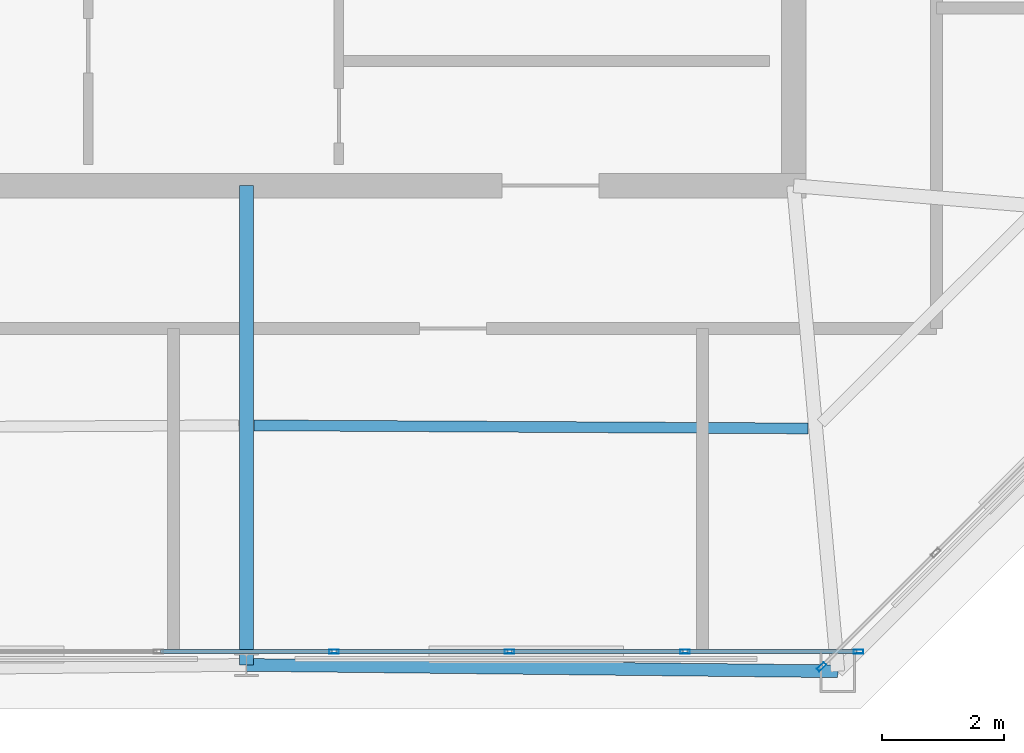
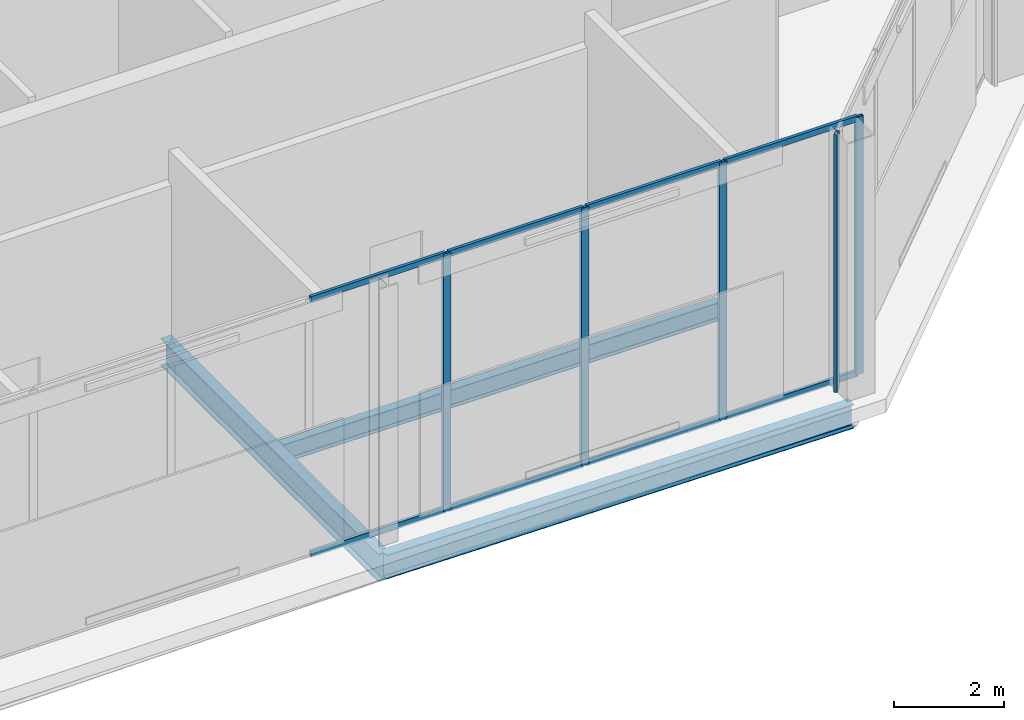
# One storey, part 5 of 20: 13 members, 3 beams, 2 elements without a shape of their own.
"""IFC4 building model written with IfcOpenShell, lengths in metres."""

import ifcopenshell
import ifcopenshell.guid

model = None  # the IFC model being written
_history = None  # IfcOwnerHistory: only IFC2X3 demands one
_inside = {}  # id of a spatial element -> (the spatial element, [elements in it])
_under = {}  # id of a project, library or spatial element -> (it, [spatial elements below it])
_declared = {}  # id of a project -> (the project, [libraries it declares])
_typed = {}  # id of a type object -> (the type object, [elements of that type])
_made_of = {}  # id of a material, layer set ... -> (it, [elements and type objects made of it])


def new_model(schema):
    """Start an empty IFC model of exactly this schema.

    Asked for "IFC4X3", IfcOpenShell would pick the latest addendum, in which some entities
    have other attributes; the version numbers below select the first issue.
    IFC2X3 requires an IfcOwnerHistory on every rooted entity: one is made here for all.
    """
    global model, _history
    if schema == "IFC4X3":
        model = ifcopenshell.file(schema_version=(4, 3, 0, 0))
    else:
        model = ifcopenshell.file(schema=schema)
    _inside.clear()
    _under.clear()
    _declared.clear()
    _typed.clear()
    _made_of.clear()
    _history = None
    if model.schema == "IFC2X3":
        org = make("IfcOrganization", Name="unknown")
        user = make(
            "IfcPersonAndOrganization",
            ThePerson=make("IfcPerson", FamilyName="unknown"),
            TheOrganization=org,
        )
        app = make(
            "IfcApplication",
            ApplicationDeveloper=org,
            Version="unknown",
            ApplicationFullName="unknown",
            ApplicationIdentifier="unknown",
        )
        _history = make(
            "IfcOwnerHistory",
            OwningUser=user,
            OwningApplication=app,
            ChangeAction="ADDED",
            CreationDate=0,
        )
    return model


def make(cls, **values):
    """One entity of the class cls with the attributes given. An attribute that is None is left unset."""
    return model.create_entity(
        cls, **{name: value for name, value in values.items() if value is not None}
    )


def rooted(cls, **values):
    """An entity with a GlobalId (a new one), such as an element, a storey or a relation."""
    return make(cls, GlobalId=ifcopenshell.guid.new(), OwnerHistory=_history, **values)


def si_unit(unit_type, name, prefix=None):
    """IfcSIUnit, for example si_unit("LENGTHUNIT", "METRE", prefix="MILLI")."""
    return make("IfcSIUnit", UnitType=unit_type, Prefix=prefix, Name=name)


def assignment(units):
    """IfcUnitAssignment: the units of a project."""
    return None if units is None else make("IfcUnitAssignment", Units=units)


def point(xyz):
    """IfcCartesianPoint."""
    return None if xyz is None else make("IfcCartesianPoint", Coordinates=xyz)


def direction(xyz):
    """IfcDirection."""
    return None if xyz is None else make("IfcDirection", DirectionRatios=xyz)


def frame(location, z_axis=None, x_axis=None):
    """IfcAxis2Placement3D, a coordinate frame: its origin and axes. An axis left out is left unset."""
    return make(
        "IfcAxis2Placement3D",
        Location=point(location),
        Axis=direction(z_axis),
        RefDirection=direction(x_axis),
    )


def frame_2d(location, x_axis=None):
    """IfcAxis2Placement2D, a coordinate frame in the plane: its origin and x axis."""
    return make(
        "IfcAxis2Placement2D", Location=point(location), RefDirection=direction(x_axis)
    )


def origin():
    """The frame at (0, 0, 0) with its axes left unset."""
    return frame((0.0, 0.0, 0.0))


def origin_2d():
    """The frame at (0, 0) in the plane with its x axis left unset."""
    return frame_2d((0.0, 0.0))


def place(relative_to, where):
    """IfcLocalPlacement: puts the frame where relative to a parent placement (None: the world)."""
    return make(
        "IfcLocalPlacement", PlacementRelTo=relative_to, RelativePlacement=where
    )


def context(
    kind, dimensions, precision=None, world=None, true_north=None, identifier=None
):
    """IfcGeometricRepresentationContext, for example the 3D "Model" context."""
    return make(
        "IfcGeometricRepresentationContext",
        ContextIdentifier=identifier,
        ContextType=kind,
        CoordinateSpaceDimension=dimensions,
        Precision=precision,
        WorldCoordinateSystem=world,
        TrueNorth=true_north,
    )


def subcontext(parent, identifier, kind, view, scale=None):
    """IfcGeometricRepresentationSubContext, for example "Body" below "Model"."""
    return make(
        "IfcGeometricRepresentationSubContext",
        ContextIdentifier=identifier,
        ContextType=kind,
        ParentContext=parent,
        TargetScale=scale,
        TargetView=view,
    )


def project(units=None, contexts=None):
    """IfcProject with its units and contexts."""
    return rooted(
        "IfcProject",
        Name="project",
        RepresentationContexts=contexts,
        UnitsInContext=assignment(units),
    )


def spatial(cls, under=None, at=None, **own):
    """A site, building, storey or space (cls), placed at a placement, below another one or the project."""
    s = rooted(cls, ObjectPlacement=at, **own)
    if under is not None:
        _under.setdefault(under.id(), (under, []))[1].append(s)
    return s


def profile(cls, at=None, kind="AREA", **sizes):
    """A parametric profile (cls). Its sizes go by their IFC names, for example OverallWidth=200.0."""
    return make(cls, ProfileType=kind, Position=at, **sizes)


def hollow_rectangle(**sizes):
    """IfcRectangleHollowProfileDef."""
    return profile("IfcRectangleHollowProfileDef", **sizes)


def i_section(**sizes):
    """IfcIShapeProfileDef."""
    return profile("IfcIShapeProfileDef", **sizes)


def extrude(swept, where, along, depth):
    """IfcExtrudedAreaSolid: the profile swept, set in the frame where, extruded along a direction by depth."""
    return make(
        "IfcExtrudedAreaSolid",
        SweptArea=swept,
        Position=where,
        ExtrudedDirection=direction(along),
        Depth=depth,
    )


def shape(context_of_items, identifier, shape_type, items):
    """IfcShapeRepresentation: the items that make up one representation, for example the "Body"."""
    return make(
        "IfcShapeRepresentation",
        ContextOfItems=context_of_items,
        RepresentationIdentifier=identifier,
        RepresentationType=shape_type,
        Items=items,
    )


def material(Name=None, Category=None):
    """IfcMaterial."""
    return make("IfcMaterial", Name=Name, Category=Category)


def layer(
    of_material, thickness, ventilated=None, Name=None, Category=None, Priority=None
):
    """IfcMaterialLayer: one layer of a wall or slab, of a material (None: an air gap)."""
    return make(
        "IfcMaterialLayer",
        Material=of_material,
        LayerThickness=thickness,
        IsVentilated=ventilated,
        Name=Name,
        Category=Category,
        Priority=Priority,
    )


def layer_set(layers, Name=None):
    """IfcMaterialLayerSet."""
    return make("IfcMaterialLayerSet", MaterialLayers=layers, LayerSetName=Name)


def material_profile(
    of_material, cross_section, Name=None, Category=None, Priority=None
):
    """IfcMaterialProfile: a cross section and its material."""
    return make(
        "IfcMaterialProfile",
        Name=Name,
        Material=of_material,
        Profile=cross_section,
        Priority=Priority,
        Category=Category,
    )


def profile_set(profiles, Name=None, composite=None):
    """IfcMaterialProfileSet."""
    return make(
        "IfcMaterialProfileSet",
        Name=Name,
        MaterialProfiles=profiles,
        CompositeProfile=composite,
    )


def made_of(thing, what):
    """Note that an element or type object is made of a material, layer set ...; save() writes the relation."""
    if what is not None:
        _made_of.setdefault(what.id(), (what, []))[1].append(thing)
    return thing


def type_object(cls, material=None, **own):
    """A type object (cls), such as IfcWallType, which elements share."""
    return made_of(rooted(cls, **own), material)


def element(
    cls,
    number,
    at=None,
    inside=None,
    cuts=None,
    type_object=None,
    material=None,
    context=None,
    identifier="Body",
    shape_type=None,
    held_by="IfcProductDefinitionShape",
    body=None,
    shapes=None,
    **own,
):
    """One element of the class cls, such as IfcWall. Its Tag is "e" and its number.

    at: its placement. inside: the storey or other place that contains it. cuts: it is an
    opening in that element (IfcRelVoidsElement). A single representation is given by context,
    identifier, shape_type and body (its items); several are given by shapes. held_by: the class
    of the entity that holds the representations. save() writes the other relations.
    """
    e = rooted(cls, Tag="e%d" % number, ObjectPlacement=at, **own)
    if body is not None:
        shapes = [shape(context, identifier, shape_type, body)]
    if shapes is not None:
        e.Representation = make(held_by, Representations=shapes)
    if inside is not None:
        _inside.setdefault(inside.id(), (inside, []))[1].append(e)
    if cuts is not None:
        rooted(
            "IfcRelVoidsElement", RelatingBuildingElement=cuts, RelatedOpeningElement=e
        )
    if type_object is not None:
        _typed.setdefault(type_object.id(), (type_object, []))[1].append(e)
    return made_of(e, material)


def aggregate(whole, parts):
    """IfcRelAggregates: a whole, such as a stair, and the parts it consists of."""
    return rooted("IfcRelAggregates", RelatingObject=whole, RelatedObjects=parts)


def save(model, path):
    """Write the relations noted so far, then the file.

    IfcRelAggregates (storeys below a building ...), IfcRelContainedInSpatialStructure (elements
    in a storey), IfcRelDefinesByType, IfcRelAssociatesMaterial and IfcRelDeclares: one each for
    every whole, place, type object, material and project.
    """
    for whole, parts in _under.values():
        aggregate(whole, parts)
    for where, things in _inside.values():
        rooted(
            "IfcRelContainedInSpatialStructure",
            RelatedElements=things,
            RelatingStructure=where,
        )
    for kind, things in _typed.values():
        rooted("IfcRelDefinesByType", RelatedObjects=things, RelatingType=kind)
    for what, things in _made_of.values():
        rooted("IfcRelAssociatesMaterial", RelatedObjects=things, RelatingMaterial=what)
    for by, libraries in _declared.values():
        rooted("IfcRelDeclares", RelatingContext=by, RelatedDefinitions=libraries)
    model.write(path)


model = new_model("IFC4")

# Units and contexts
model_context = context("Model", 3, precision=1e-05, world=origin(), true_north=direction((0.0, 1.0)))
body_context = subcontext(model_context, "Body", "Model", "MODEL_VIEW")
ifc_project = project(units=[si_unit("LENGTHUNIT", "METRE"), si_unit("AREAUNIT", "SQUARE_METRE"), si_unit("VOLUMEUNIT", "CUBIC_METRE"), si_unit("PLANEANGLEUNIT", "RADIAN"), si_unit("MASSUNIT", "GRAM", prefix="KILO")], contexts=[model_context])

# Site, building, storey
site_placement = place(None, origin())
site = spatial("IfcSite", under=ifc_project, at=site_placement, CompositionType="ELEMENT")
building_placement = place(site_placement, origin())
building = spatial("IfcBuilding", under=site, at=building_placement, Name="Caelvoria Tower", CompositionType="ELEMENT")
storey_placement = place(building_placement, frame((0.0, 0.0, 284.199951171875)))
storey = spatial("IfcBuildingStorey", under=building, at=storey_placement, Name="C1", CompositionType="ELEMENT", Elevation=284.199951171875)

# Curtain wall, members
ifc_material_1 = material(Name="Anodised Bronze Aluminium and Low-E Glass", Category="aluminium")
ifc_layer = layer(ifc_material_1, 0.179931640625, Name="Anodised Bronze Aluminium and Low-E Glass")
ifc_layer_set = layer_set([ifc_layer], Name="CW System 6 Slanted Crown Bronze Screen Facade - Anodised Bronze Aluminium and Low-E Glass")
curtain_wall_type = type_object("IfcCurtainWallType", Name="CW System 6 Slanted Crown Bronze Screen Facade", PredefinedType="NOTDEFINED", material=ifc_layer_set)
curtain_wall_1_placement = place(storey_placement, origin())
curtain_wall_1 = element("IfcCurtainWall", 1, at=curtain_wall_1_placement, inside=storey, type_object=curtain_wall_type, Name="CW-06 Curtain Wall C1-E0", PredefinedType="NOTDEFINED")
ifc_material_2 = material(Name="Anodised Bronze Architectural Aluminium", Category="aluminium")
ifc_material_profile_1 = material_profile(ifc_material_2, hollow_rectangle(XDim=0.06494140625, YDim=0.159912109375, WallThickness=0.00390625, at=origin_2d()), Name="Anodised Bronze Architectural Aluminium")
ifc_profile_set_1 = profile_set([ifc_material_profile_1], Name="CW_MULL_65X160 - Anodised Bronze Architectural Aluminium")
member_type_1 = type_object("IfcMemberType", Name="Curtain Wall Mullion 65x160 Bronze Aluminium", PredefinedType="MULLION", material=ifc_profile_set_1)
member_1_placement = place(storey_placement, frame((47.44287109375, 16.340087890625, 0.0), z_axis=(0.0, 0.0, 1.0), x_axis=(0.0, 1.0, 0.0)))
member_1 = element("IfcMember", 2, at=member_1_placement, type_object=member_type_1, Name="CW-06 mullion 5", PredefinedType="MULLION", context=body_context, shape_type="SweptSolid", body=[
    extrude(hollow_rectangle(XDim=0.06494140625, YDim=0.159912109375, WallThickness=0.00390625, at=origin_2d()), origin(), (0.0, 0.0, 1.0), 5.699951171875),
])
member_2_placement = place(storey_placement, frame((50.32861328125, 16.340087890625, 0.0), z_axis=(0.0, 0.0, 1.0), x_axis=(0.0, 1.0, 0.0)))
member_2 = element("IfcMember", 3, at=member_2_placement, type_object=member_type_1, Name="CW-06 mullion 6", PredefinedType="MULLION", context=body_context, shape_type="SweptSolid", body=[
    extrude(hollow_rectangle(XDim=0.06494140625, YDim=0.159912109375, WallThickness=0.00390625, at=origin_2d()), origin(), (0.0, 0.0, 1.0), 5.699951171875),
])
member_3_placement = place(storey_placement, frame((53.21435546875, 16.340087890625, 0.0), z_axis=(0.0, 0.0, 1.0), x_axis=(0.0, 1.0, 0.0)))
member_3 = element("IfcMember", 4, at=member_3_placement, type_object=member_type_1, Name="CW-06 mullion 7", PredefinedType="MULLION", context=body_context, shape_type="SweptSolid", body=[
    extrude(hollow_rectangle(XDim=0.06494140625, YDim=0.159912109375, WallThickness=0.00390625, at=origin_2d()), origin(), (0.0, 0.0, 1.0), 5.699951171875),
])
member_4_placement = place(storey_placement, frame((56.0673828125, 16.340087890625, 0.0), z_axis=(0.0, 0.0, 1.0), x_axis=(0.0, 1.0, 0.0)))
member_4 = element("IfcMember", 5, at=member_4_placement, type_object=member_type_1, Name="CW-06 mullion 8", PredefinedType="MULLION", context=body_context, shape_type="SweptSolid", body=[
    extrude(hollow_rectangle(XDim=0.06494140625, YDim=0.159912109375, WallThickness=0.00390625, at=origin_2d()), origin(), (0.0, 0.0, 1.0), 5.699951171875),
])

# Curtain wall, member
curtain_wall_2_placement = place(storey_placement, origin())
curtain_wall_2 = element("IfcCurtainWall", 6, at=curtain_wall_2_placement, inside=storey, type_object=curtain_wall_type, Name="CW-06 Curtain Wall C1-E1", PredefinedType="NOTDEFINED")
member_5_placement = place(storey_placement, frame((55.458251953125, 16.087646484375, 0.0), z_axis=(0.0, 0.0, 1.0), x_axis=(-0.707106781187, 0.707106781187, 0.0)))
member_5 = element("IfcMember", 7, at=member_5_placement, type_object=member_type_1, Name="CW-06 mullion 1", PredefinedType="MULLION", context=body_context, shape_type="SweptSolid", body=[
    extrude(hollow_rectangle(XDim=0.06494140625, YDim=0.159912109375, WallThickness=0.00390625, at=origin_2d()), origin(), (0.0, 0.0, 1.0), 5.699951171875),
])
aggregate(curtain_wall_2, [member_5])

# Member
ifc_material_profile_2 = material_profile(ifc_material_2, hollow_rectangle(XDim=0.06494140625, YDim=0.1298828125, WallThickness=0.00341796875, at=origin_2d()), Name="Anodised Bronze Architectural Aluminium")
ifc_profile_set_2 = profile_set([ifc_material_profile_2], Name="CW_TRAN_65X130 - Anodised Bronze Architectural Aluminium")
member_type_2 = type_object("IfcMemberType", Name="Curtain Wall Transom 65x130 Bronze Aluminium", PredefinedType="USERDEFINED", material=ifc_profile_set_2)
member_6_placement = place(storey_placement, frame((44.589599609375, 16.340087890625, 0.032470703125), z_axis=(1.0, 0.0, 0.0), x_axis=(0.0, 1.0, 0.0)))
member_6 = element("IfcMember", 8, at=member_6_placement, type_object=member_type_2, Name="CW-06 transom 4.1", ObjectType="TRANSOM", PredefinedType="USERDEFINED", context=body_context, shape_type="SweptSolid", body=[
    extrude(hollow_rectangle(XDim=0.06494140625, YDim=0.1298828125, WallThickness=0.00341796875, at=origin_2d()), origin(), (0.0, 0.0, 1.0), 2.82080078125),
])

member_7_placement = place(storey_placement, frame((44.589599609375, 16.340087890625, 5.66748046875), z_axis=(1.0, 0.0, 0.0), x_axis=(0.0, 1.0, 0.0)))
member_7 = element("IfcMember", 9, at=member_7_placement, type_object=member_type_2, Name="CW-06 transom 4.2", ObjectType="TRANSOM", PredefinedType="USERDEFINED", context=body_context, shape_type="SweptSolid", body=[
    extrude(hollow_rectangle(XDim=0.06494140625, YDim=0.1298828125, WallThickness=0.00341796875, at=origin_2d()), origin(), (0.0, 0.0, 1.0), 2.82080078125),
])

member_8_placement = place(storey_placement, frame((47.475341796875, 16.340087890625, 0.032470703125), z_axis=(1.0, 0.0, 0.0), x_axis=(0.0, 1.0, 0.0)))
member_8 = element("IfcMember", 10, at=member_8_placement, type_object=member_type_2, Name="CW-06 transom 5.1", ObjectType="TRANSOM", PredefinedType="USERDEFINED", context=body_context, shape_type="SweptSolid", body=[
    extrude(hollow_rectangle(XDim=0.06494140625, YDim=0.1298828125, WallThickness=0.00341796875, at=origin_2d()), origin(), (0.0, 0.0, 1.0), 2.82080078125),
])

member_9_placement = place(storey_placement, frame((47.475341796875, 16.340087890625, 5.66748046875), z_axis=(1.0, 0.0, 0.0), x_axis=(0.0, 1.0, 0.0)))
member_9 = element("IfcMember", 11, at=member_9_placement, type_object=member_type_2, Name="CW-06 transom 5.2", ObjectType="TRANSOM", PredefinedType="USERDEFINED", context=body_context, shape_type="SweptSolid", body=[
    extrude(hollow_rectangle(XDim=0.06494140625, YDim=0.1298828125, WallThickness=0.00341796875, at=origin_2d()), origin(), (0.0, 0.0, 1.0), 2.82080078125),
])

member_10_placement = place(storey_placement, frame((50.361083984375, 16.340087890625, 0.032470703125), z_axis=(1.0, 0.0, 0.0), x_axis=(0.0, 1.0, 0.0)))
member_10 = element("IfcMember", 12, at=member_10_placement, type_object=member_type_2, Name="CW-06 transom 6.1", ObjectType="TRANSOM", PredefinedType="USERDEFINED", context=body_context, shape_type="SweptSolid", body=[
    extrude(hollow_rectangle(XDim=0.06494140625, YDim=0.1298828125, WallThickness=0.00341796875, at=origin_2d()), origin(), (0.0, 0.0, 1.0), 2.82080078125),
])

member_11_placement = place(storey_placement, frame((50.361083984375, 16.340087890625, 5.66748046875), z_axis=(1.0, 0.0, 0.0), x_axis=(0.0, 1.0, 0.0)))
member_11 = element("IfcMember", 13, at=member_11_placement, type_object=member_type_2, Name="CW-06 transom 6.2", ObjectType="TRANSOM", PredefinedType="USERDEFINED", context=body_context, shape_type="SweptSolid", body=[
    extrude(hollow_rectangle(XDim=0.06494140625, YDim=0.1298828125, WallThickness=0.00341796875, at=origin_2d()), origin(), (0.0, 0.0, 1.0), 2.82080078125),
])

member_12_placement = place(storey_placement, frame((53.246826171875, 16.340087890625, 0.032470703125), z_axis=(1.0, 0.0, 0.0), x_axis=(0.0, 1.0, 0.0)))
member_12 = element("IfcMember", 14, at=member_12_placement, type_object=member_type_2, Name="CW-06 transom 7.1", ObjectType="TRANSOM", PredefinedType="USERDEFINED", context=body_context, shape_type="SweptSolid", body=[
    extrude(hollow_rectangle(XDim=0.06494140625, YDim=0.1298828125, WallThickness=0.00341796875, at=origin_2d()), origin(), (0.0, 0.0, 1.0), 2.7880859375),
])

member_13_placement = place(storey_placement, frame((53.246826171875, 16.340087890625, 5.66748046875), z_axis=(1.0, 0.0, 0.0), x_axis=(0.0, 1.0, 0.0)))
member_13 = element("IfcMember", 15, at=member_13_placement, type_object=member_type_2, Name="CW-06 transom 7.2", ObjectType="TRANSOM", PredefinedType="USERDEFINED", context=body_context, shape_type="SweptSolid", body=[
    extrude(hollow_rectangle(XDim=0.06494140625, YDim=0.1298828125, WallThickness=0.00341796875, at=origin_2d()), origin(), (0.0, 0.0, 1.0), 2.7880859375),
])

aggregate(curtain_wall_1, [member_1, member_2, member_3, member_4, member_6, member_7, member_8, member_9, member_10, member_11, member_12, member_13])

# Beams
ifc_material_3 = material(Name="Structural Steel ASTM A992 Gr.50", Category="steel")
ifc_material_profile_3 = material_profile(ifc_material_3, i_section(OverallWidth=0.22802734375, OverallDepth=0.60302734375, WebThickness=0.010498046875, FlangeThickness=0.014892578125, FilletRadius=0.01806640625, at=origin_2d()), Name="Structural Steel ASTM A992 Gr.50")
ifc_profile_set_3 = profile_set([ifc_material_profile_3], Name="W610X101 - Structural Steel ASTM A992 Gr.50")
beam_type_1 = type_object("IfcBeamType", Name="Primary Floor Girder W610X101", PredefinedType="BEAM", material=ifc_profile_set_3)
beam_1_placement = place(storey_placement, frame((46.0, 24.0, -0.6015625), z_axis=(0.0, -1.0, 0.0), x_axis=(1.0, 0.0, 0.0)))
element("IfcBeam", 16, at=beam_1_placement, inside=storey, type_object=beam_type_1, Name="Primary Floor Girder C1-01", PredefinedType="BEAM", context=body_context, shape_type="SweptSolid", body=[
    extrude(i_section(OverallWidth=0.22802734375, OverallDepth=0.60302734375, WebThickness=0.010498046875, FlangeThickness=0.014892578125, FilletRadius=0.01806640625, at=origin_2d()), origin(), (0.0, 0.0, 1.0), 7.8798828125),
])
ifc_material_profile_4 = material_profile(ifc_material_3, i_section(OverallWidth=0.177978515625, OverallDepth=0.406982421875, WebThickness=0.0078125, FlangeThickness=0.0126953125, FilletRadius=0.013916015625, at=origin_2d()), Name="Structural Steel ASTM A992 Gr.50")
ifc_profile_set_4 = profile_set([ifc_material_profile_4], Name="W410X60 - Structural Steel ASTM A992 Gr.50")
beam_type_2 = type_object("IfcBeamType", Name="Secondary Floor Beam W410X60", PredefinedType="BEAM", material=ifc_profile_set_4)
beam_2_placement = place(storey_placement, frame((46.125, 20.059326171875, -0.50341796875), z_axis=(0.999984324209, -0.005599226377, 0.0), x_axis=(0.005599226377, 0.999984324209, 0.0)))
element("IfcBeam", 17, at=beam_2_placement, inside=storey, type_object=beam_type_2, Name="Secondary Floor Beam C1-01", PredefinedType="BEAM", context=body_context, shape_type="SweptSolid", body=[
    extrude(i_section(OverallWidth=0.177978515625, OverallDepth=0.406982421875, WebThickness=0.0078125, FlangeThickness=0.0126953125, FilletRadius=0.013916015625, at=origin_2d()), origin(), (0.0, 0.0, 1.0), 9.113037109375),
])
ifc_material_profile_5 = material_profile(ifc_material_3, i_section(OverallWidth=0.208984375, OverallDepth=0.532958984375, WebThickness=0.01025390625, FlangeThickness=0.015625, FilletRadius=0.01611328125, at=origin_2d()), Name="Structural Steel ASTM A992 Gr.50")
ifc_profile_set_5 = profile_set([ifc_material_profile_5], Name="W530X92 - Structural Steel ASTM A992 Gr.50")
beam_type_3 = type_object("IfcBeamType", Name="Upper Zone Spandrel W530X92", PredefinedType="BEAM", material=ifc_profile_set_5)
beam_3_placement = place(storey_placement, frame((46.0, 16.1201171875, -0.56640625), z_axis=(0.999941750029, -0.010793356742, 0.0), x_axis=(0.010793356742, 0.999941750029, 0.0)))
element("IfcBeam", 18, at=beam_3_placement, inside=storey, type_object=beam_type_3, Name="Perimeter Spandrel Girder C1-01", PredefinedType="BEAM", context=body_context, shape_type="SweptSolid", body=[
    extrude(i_section(OverallWidth=0.208984375, OverallDepth=0.532958984375, WebThickness=0.01025390625, FlangeThickness=0.015625, FilletRadius=0.01611328125, at=origin_2d()), origin(), (0.0, 0.0, 1.0), 9.726318359375),
])

save(model, "model.ifc")
